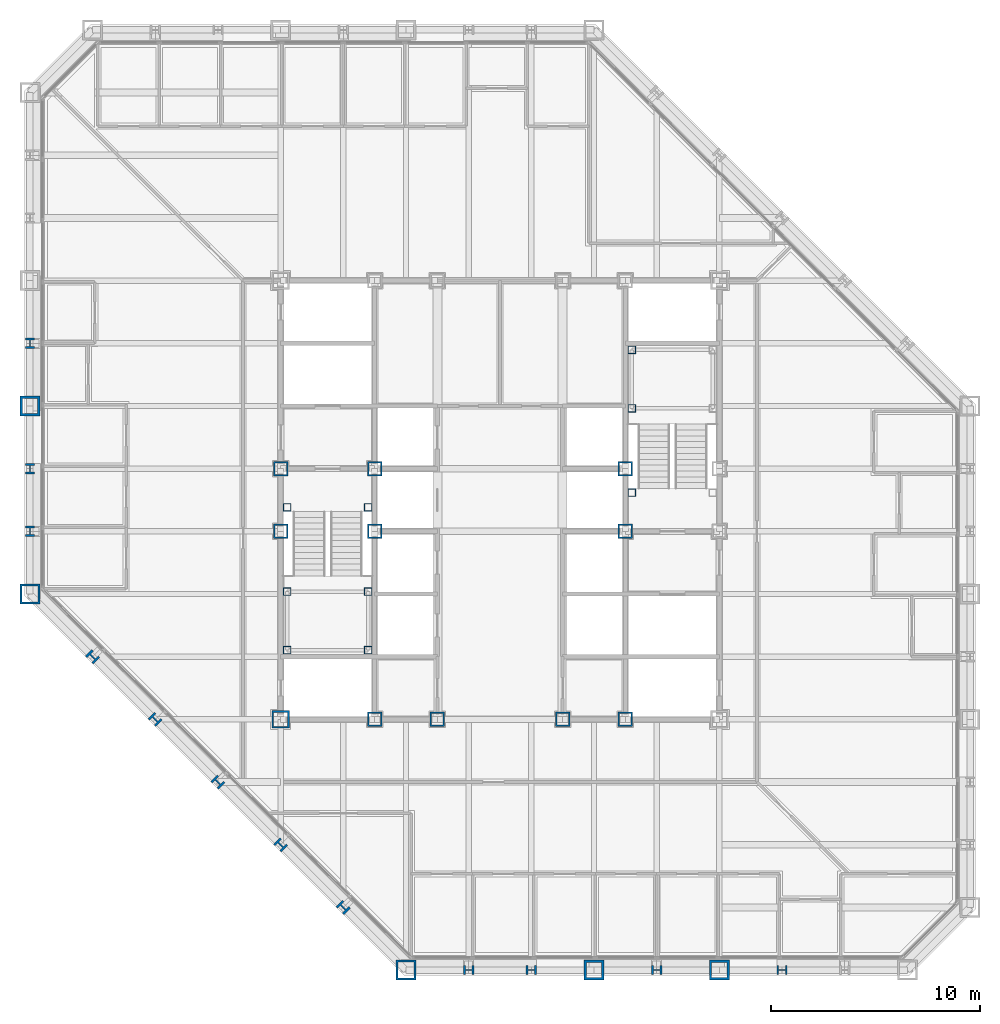
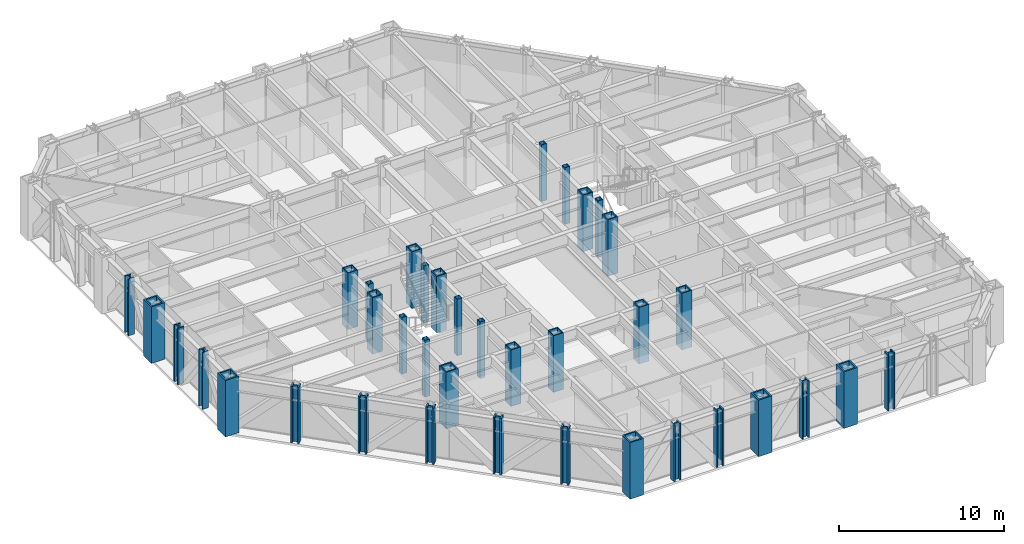
# One storey, part 1 of 17: 37 columns.
"""IFC4 building model written with IfcOpenShell, lengths in metres."""

from ifc_helpers import new_model, si_unit, direction, frame, origin, origin_2d, place, context, subcontext, project, spatial, hollow_rectangle, i_section, extrude, material, material_profile, profile_set, type_object, element, save


model = new_model("IFC4")

# Units and contexts
model_context = context("Model", 3, precision=1e-05, world=origin(), true_north=direction((0.0, 1.0)))
body_context = subcontext(model_context, "Body", "Model", "MODEL_VIEW")
ifc_project = project(units=[si_unit("LENGTHUNIT", "METRE"), si_unit("AREAUNIT", "SQUARE_METRE"), si_unit("VOLUMEUNIT", "CUBIC_METRE"), si_unit("PLANEANGLEUNIT", "RADIAN"), si_unit("MASSUNIT", "GRAM", prefix="KILO")], contexts=[model_context])

# Site, building, storey
site_placement = place(None, origin())
site = spatial("IfcSite", under=ifc_project, at=site_placement, CompositionType="ELEMENT")
building_placement = place(site_placement, origin())
building = spatial("IfcBuilding", under=site, at=building_placement, Name="Chuquiago Exchange Tower", CompositionType="ELEMENT")
storey_placement = place(building_placement, frame((0.0, 0.0, 132.0)))
storey = spatial("IfcBuildingStorey", under=building, at=storey_placement, Name="L28", CompositionType="ELEMENT", Elevation=132.0)

# Columns
ifc_material_1 = material(Name="Steel ASTM A992", Category="steel")
ifc_material_profile_1 = material_profile(ifc_material_1, i_section(OverallWidth=0.431884765625, OverallDepth=0.497802734375, WebThickness=0.0556640625, FlangeThickness=0.0888671875, at=origin_2d()), Name="W14X500")
ifc_profile_set_1 = profile_set([ifc_material_profile_1], Name="Steel ASTM A992")
column_type_1 = type_object("IfcColumnType", Name="C3 W14X500", PredefinedType="COLUMN", material=ifc_profile_set_1)
for number, where, z_axis, x_axis, name in (
    (1, (21.0, 0.0, 0.0), (0.0, 0.0, 1.0), (0.0, -1.0, 0.0), "COL-L28-21_0"),
    (2, (24.0, 0.0, 0.0), (0.0, 0.0, 1.0), (0.0, -1.0, 0.0), "COL-L28-24_0"),
    (3, (30.0, 0.0, 0.0), (0.0, 0.0, 1.0), (0.0, -1.0, 0.0), "COL-L28-30_0"),
    (4, (36.0, 0.0, 0.0), (0.0, 0.0, 1.0), (0.0, -1.0, 0.0), "COL-L28-36_0"),
    (5, (0.0, 30.0, 0.0), (0.0, 0.0, 1.0), (-1.0, 0.0, 0.0), "COL-L28-0_30"),
    (6, (0.0, 24.0, 0.0), (0.0, 0.0, 1.0), (-1.0, 0.0, 0.0), "COL-L28-0_24"),
    (7, (0.0, 21.0, 0.0), (0.0, 0.0, 1.0), (-1.0, 0.0, 0.0), "COL-L28-0_21"),
):
    element("IfcColumn", number, at=place(storey_placement, frame(where, z_axis=z_axis, x_axis=x_axis)), inside=storey, type_object=column_type_1, Name=name, PredefinedType="COLUMN", context=body_context, shape_type="SweptSolid", body=[
        extrude(i_section(OverallWidth=0.431884765625, OverallDepth=0.497802734375, WebThickness=0.0556640625, FlangeThickness=0.0888671875, at=origin_2d()), origin(), (0.0, 0.0, 1.0), 4.199951171875),
    ])
ifc_material_2 = material(Name="Steel ASTM A572 Grade 50", Category="steel")
ifc_material_profile_2 = material_profile(ifc_material_2, hollow_rectangle(XDim=0.699951171875, YDim=0.699951171875, WallThickness=0.070068359375, at=origin_2d()), Name="BOX700X700X70")
ifc_profile_set_2 = profile_set([ifc_material_profile_2], Name="Steel ASTM A572 Grade 50")
column_type_2 = type_object("IfcColumnType", Name="CC3 BOX700X700X70", PredefinedType="COLUMN", material=ifc_profile_set_2)
for number, where, z_axis, x_axis, name in (
    (8, (16.5, 12.0, 0.0), (0.0, 0.0, 1.0), (1.0, 0.0, 0.0), "CCOL-L28-16.5_12"),
    (9, (19.5, 12.0, 0.0), (0.0, 0.0, 1.0), (1.0, 0.0, 0.0), "CCOL-L28-19.5_12"),
    (10, (25.5, 12.0, 0.0), (0.0, 0.0, 1.0), (1.0, 0.0, 0.0), "CCOL-L28-25.5_12"),
    (11, (28.5, 12.0, 0.0), (0.0, 0.0, 1.0), (1.0, 0.0, 0.0), "CCOL-L28-28.5_12"),
    (12, (12.0, 21.0, 0.0), (0.0, 0.0, 1.0), (1.0, 0.0, 0.0), "CCOL-L28-12_21"),
    (13, (12.0, 24.0, 0.0), (0.0, 0.0, 1.0), (1.0, 0.0, 0.0), "CCOL-L28-12_24"),
    (14, (16.5, 21.0, 0.0), (0.0, 0.0, 1.0), (1.0, 0.0, 0.0), "CCOL-L28-16.5_21"),
    (15, (16.5, 24.0, 0.0), (0.0, 0.0, 1.0), (1.0, 0.0, 0.0), "CCOL-L28-16.5_24"),
    (16, (28.5, 21.0, 0.0), (0.0, 0.0, 1.0), (1.0, 0.0, 0.0), "CCOL-L28-28.5_21"),
    (17, (28.5, 24.0, 0.0), (0.0, 0.0, 1.0), (1.0, 0.0, 0.0), "CCOL-L28-28.5_24"),
):
    element("IfcColumn", number, at=place(storey_placement, frame(where, z_axis=z_axis, x_axis=x_axis)), inside=storey, type_object=column_type_2, Name=name, PredefinedType="COLUMN", context=body_context, shape_type="SweptSolid", body=[
        extrude(hollow_rectangle(XDim=0.699951171875, YDim=0.699951171875, WallThickness=0.070068359375, at=origin_2d()), origin(), (0.0, 0.0, 1.0), 4.199951171875),
    ])
ifc_material_3 = material(Name="Steel ASTM A572 Grade 50", Category="steel")
ifc_material_profile_3 = material_profile(ifc_material_3, hollow_rectangle(XDim=0.85009765625, YDim=0.85009765625, WallThickness=0.0849609375, at=origin_2d()), Name="BOX850X850X85")
ifc_profile_set_3 = profile_set([ifc_material_profile_3], Name="Steel ASTM A572 Grade 50")
column_type_3 = type_object("IfcColumnType", Name="CC6 BOX850X850X85", PredefinedType="COLUMN", material=ifc_profile_set_3)
column_placement = place(storey_placement, frame((12.0, 12.0, 0.0), z_axis=(0.0, 0.0, 1.0), x_axis=(1.0, 0.0, 0.0)))
element("IfcColumn", 18, at=column_placement, inside=storey, type_object=column_type_3, Name="CCOL-L28-12_12", PredefinedType="COLUMN", context=body_context, shape_type="SweptSolid", body=[
    extrude(hollow_rectangle(XDim=0.85009765625, YDim=0.85009765625, WallThickness=0.0849609375, at=origin_2d()), origin(), (0.0, 0.0, 1.0), 4.199951171875),
])
ifc_material_4 = material(Name="Steel ASTM A992", Category="steel")
ifc_material_profile_4 = material_profile(ifc_material_4, i_section(OverallWidth=0.44189453125, OverallDepth=0.53076171875, WebThickness=0.06591796875, FlangeThickness=0.105712890625, at=origin_2d()), Name="W14X605")
ifc_profile_set_4 = profile_set([ifc_material_profile_4], Name="Steel ASTM A992")
column_type_4 = type_object("IfcColumnType", Name="CK3 W14X605", PredefinedType="COLUMN", material=ifc_profile_set_4)
for number, where, z_axis, x_axis, name in (
    (19, (3.0, 15.0, 0.0), (0.0, 0.0, 1.0), (-0.707106781187, -0.707106781187, 0.0), "COL-L28-3_15"),
    (20, (6.0, 12.0, 0.0), (0.0, 0.0, 1.0), (-0.707106781187, -0.707106781187, 0.0), "COL-L28-6_12"),
    (21, (9.0, 9.0, 0.0), (0.0, 0.0, 1.0), (-0.707106781187, -0.707106781187, 0.0), "COL-L28-9_9"),
    (22, (12.0, 6.0, 0.0), (0.0, 0.0, 1.0), (-0.707106781187, -0.707106781187, 0.0), "COL-L28-12_6"),
    (23, (15.0, 3.0, 0.0), (0.0, 0.0, 1.0), (-0.707106781187, -0.707106781187, 0.0), "COL-L28-15_3"),
):
    element("IfcColumn", number, at=place(storey_placement, frame(where, z_axis=z_axis, x_axis=x_axis)), inside=storey, type_object=column_type_4, Name=name, PredefinedType="COLUMN", context=body_context, shape_type="SweptSolid", body=[
        extrude(i_section(OverallWidth=0.44189453125, OverallDepth=0.53076171875, WebThickness=0.06591796875, FlangeThickness=0.105712890625, at=origin_2d()), origin(), (0.0, 0.0, 1.0), 4.199951171875),
    ])
ifc_material_5 = material(Name="Steel ASTM A572 Grade 50", Category="steel")
ifc_material_profile_5 = material_profile(ifc_material_5, hollow_rectangle(XDim=0.949951171875, YDim=0.949951171875, WallThickness=0.094970703125, at=origin_2d()), Name="BOX950X950X95")
ifc_profile_set_5 = profile_set([ifc_material_profile_5], Name="Steel ASTM A572 Grade 50")
column_type_5 = type_object("IfcColumnType", Name="CN1 BOX950X950X95", PredefinedType="COLUMN", material=ifc_profile_set_5)
for number, where, z_axis, x_axis, name in (
    (24, (18.0, 0.0, 0.0), (0.0, 0.0, 1.0), (0.0, -1.0, 0.0), "COL-L28-18_0"),
    (25, (0.0, 18.0, 0.0), (0.0, 0.0, 1.0), (-1.0, 0.0, 0.0), "COL-L28-0_18"),
):
    element("IfcColumn", number, at=place(storey_placement, frame(where, z_axis=z_axis, x_axis=x_axis)), inside=storey, type_object=column_type_5, Name=name, PredefinedType="COLUMN", context=body_context, shape_type="SweptSolid", body=[
        extrude(hollow_rectangle(XDim=0.949951171875, YDim=0.949951171875, WallThickness=0.094970703125, at=origin_2d()), origin(), (0.0, 0.0, 1.0), 4.199951171875),
    ])
ifc_material_6 = material(Name="Steel ASTM A572 Grade 42", Category="steel")
ifc_material_profile_6 = material_profile(ifc_material_6, hollow_rectangle(XDim=0.949951171875, YDim=0.949951171875, WallThickness=0.110107421875, at=origin_2d()), Name="BOX950X950X110")
ifc_profile_set_6 = profile_set([ifc_material_profile_6], Name="Steel ASTM A572 Grade 42")
column_type_6 = type_object("IfcColumnType", Name="CT1 BOX950X950X110", PredefinedType="COLUMN", material=ifc_profile_set_6)
for number, where, z_axis, x_axis, name in (
    (26, (27.0, 0.0, 0.0), (0.0, 0.0, 1.0), (0.0, -1.0, 0.0), "COL-L28-27_0"),
    (27, (33.0, 0.0, 0.0), (0.0, 0.0, 1.0), (0.0, -1.0, 0.0), "COL-L28-33_0"),
    (28, (0.0, 27.0, 0.0), (0.0, 0.0, 1.0), (-1.0, 0.0, 0.0), "COL-L28-0_27"),
):
    element("IfcColumn", number, at=place(storey_placement, frame(where, z_axis=z_axis, x_axis=x_axis)), inside=storey, type_object=column_type_6, Name=name, PredefinedType="COLUMN", context=body_context, shape_type="SweptSolid", body=[
        extrude(hollow_rectangle(XDim=0.949951171875, YDim=0.949951171875, WallThickness=0.110107421875, at=origin_2d()), origin(), (0.0, 0.0, 1.0), 4.199951171875),
    ])
ifc_material_7 = material(Name="Steel ASTM A500 Grade C", Category="steel")
ifc_material_profile_7 = material_profile(ifc_material_7, hollow_rectangle(XDim=0.355712890625, YDim=0.355712890625, WallThickness=0.0146484375, at=origin_2d()), Name="HSS14X14X5/8")
ifc_profile_set_7 = profile_set([ifc_material_profile_7], Name="Steel ASTM A500 Grade C")
column_type_7 = type_object("IfcColumnType", Name="PT2 HSS14X14X5/8", PredefinedType="COLUMN", material=ifc_profile_set_7)
for number, where, z_axis, x_axis, name in (
    (29, (12.31005859375, 15.31005859375, 0.0), (0.0, 0.0, 1.0), (1.0, 0.0, 0.0), "Stair ST1 L28 landing post"),
    (30, (16.18994140625, 15.31005859375, 0.0), (0.0, 0.0, 1.0), (1.0, 0.0, 0.0), "Stair ST1 L28 landing post"),
    (31, (12.31005859375, 18.110107421875, 0.0), (0.0, 0.0, 1.0), (1.0, 0.0, 0.0), "Stair ST1 L28 landing post"),
    (32, (16.18994140625, 18.110107421875, 0.0), (0.0, 0.0, 1.0), (1.0, 0.0, 0.0), "Stair ST1 L28 landing post"),
    (33, (12.31005859375, 22.14990234375, 0.0), (0.0, 0.0, 1.0), (1.0, 0.0, 0.0), "Stair ST1 L28 landing post"),
    (34, (16.18994140625, 22.14990234375, 0.0), (0.0, 0.0, 1.0), (1.0, 0.0, 0.0), "Stair ST1 L28 landing post"),
    (35, (28.81005859375, 29.68994140625, 0.0), (0.0, 0.0, 1.0), (1.0, 0.0, 0.0), "Stair ST2 L28 landing post"),
    (36, (28.81005859375, 26.889892578125, 0.0), (0.0, 0.0, 1.0), (1.0, 0.0, 0.0), "Stair ST2 L28 landing post"),
    (37, (28.81005859375, 22.85009765625, 0.0), (0.0, 0.0, 1.0), (1.0, 0.0, 0.0), "Stair ST2 L28 landing post"),
):
    element("IfcColumn", number, at=place(storey_placement, frame(where, z_axis=z_axis, x_axis=x_axis)), inside=storey, type_object=column_type_7, Name=name, PredefinedType="COLUMN", context=body_context, shape_type="SweptSolid", body=[
        extrude(hollow_rectangle(XDim=0.355712890625, YDim=0.355712890625, WallThickness=0.0146484375, at=origin_2d()), origin(), (0.0, 0.0, 1.0), 4.199951171875),
    ])

save(model, "model.ifc")
